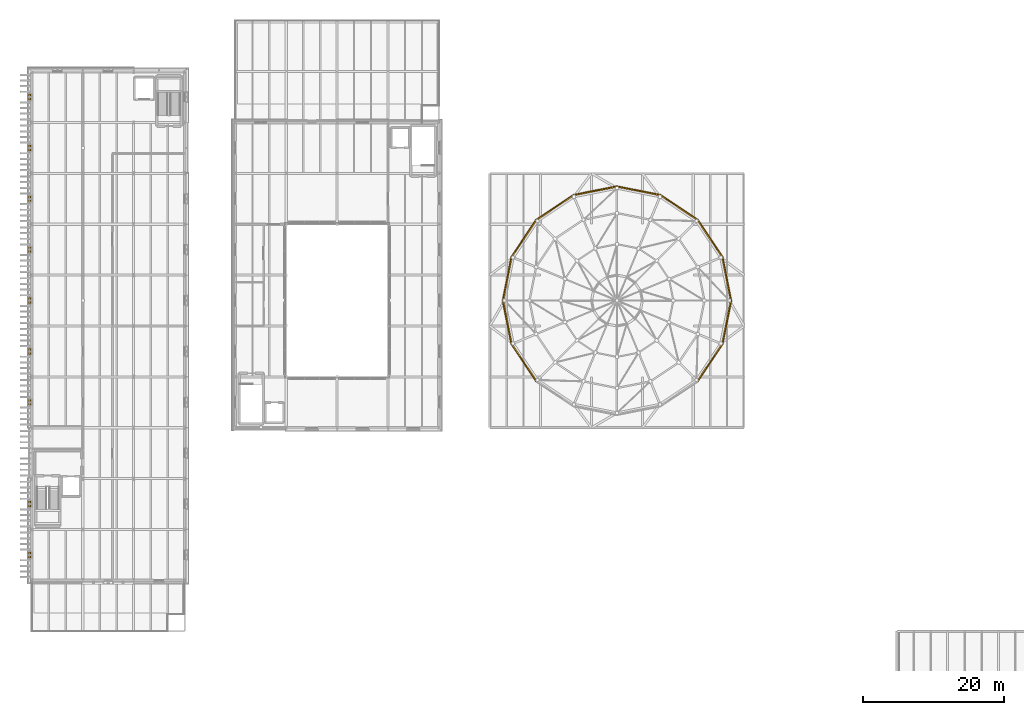
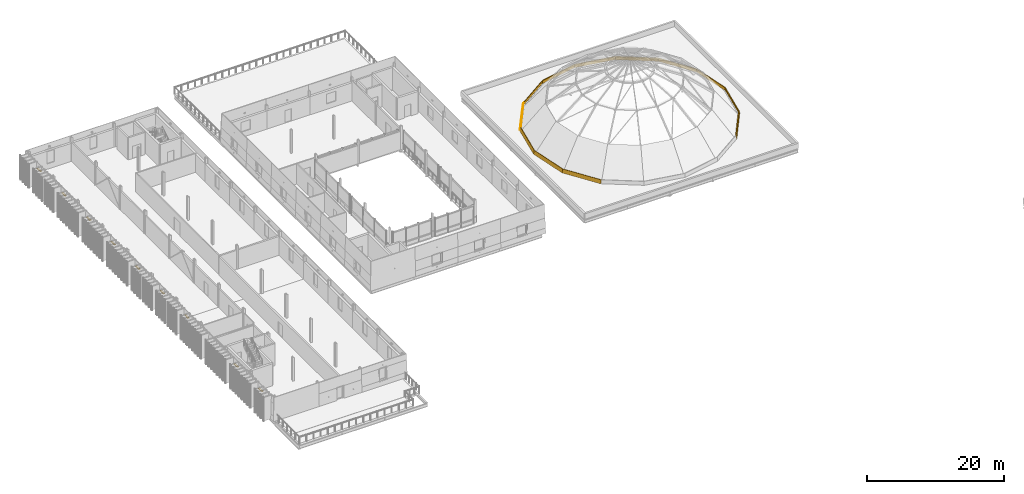
# One storey, part 66 of 66: 21 coverings.
"""IFC4 building model written with IfcOpenShell, lengths in metres."""

from ifc_helpers import new_model, si_unit, direction, frame, origin, place, context, subcontext, project, spatial, polyline, outline, extrude, material, layer, layer_set, type_object, element, save


model = new_model("IFC4")

# Units and contexts
model_context = context("Model", 3, precision=1e-05, world=origin(), true_north=direction((0.0, 1.0)))
body_context = subcontext(model_context, "Body", "Model", "MODEL_VIEW")
ifc_project = project(units=[si_unit("LENGTHUNIT", "METRE"), si_unit("AREAUNIT", "SQUARE_METRE"), si_unit("VOLUMEUNIT", "CUBIC_METRE"), si_unit("PLANEANGLEUNIT", "RADIAN"), si_unit("MASSUNIT", "GRAM", prefix="KILO")], contexts=[model_context])

# Site, building, storey
site_placement = place(None, origin())
site = spatial("IfcSite", under=ifc_project, at=site_placement, CompositionType="ELEMENT")
building_placement = place(site_placement, origin())
building = spatial("IfcBuilding", under=site, at=building_placement, Name="Narikvali Park Central Library", CompositionType="ELEMENT")
storey_placement = place(building_placement, frame((0.0, 0.0, 18.60009765625)))
storey = spatial("IfcBuildingStorey", under=building, at=storey_placement, Name="L04", CompositionType="ELEMENT", Elevation=18.60009765625)

# Coverings
ifc_material = material(Name="White Honed Limestone Cladding", Category="masonry")
ifc_layer_1 = layer(ifc_material, 0.0849609375, Name="White Honed Limestone Cladding")
ifc_layer_set_1 = layer_set([ifc_layer_1], Name="White Honed Limestone Cladding")
covering_type_1 = type_object("IfcCoveringType", Name="Battered White Limestone Facade Cladding Panel", PredefinedType="CLADDING", material=ifc_layer_set_1)
covering_1_placement = place(storey_placement, frame((99.050048828125, 75.60009765625, -0.050048828125), z_axis=(0.965979131274, 0.192152841339, 0.173094204147), x_axis=(-0.195098123827, 0.980783728492, 1.941129e-06)))
element("IfcCovering", 1, at=covering_1_placement, inside=storey, type_object=covering_type_1, Name="Rotunda Dome Drum Limestone Collar 01", PredefinedType="CLADDING", context=body_context, shape_type="SweptSolid", body=[
    extrude(outline(polyline([(0.0, 0.0), (6.340357554165245, -2.7755575615628914e-17), (6.3169670594679905, 0.680176694567826), (0.023435938325691942, 0.6802015944377334), (0.0, 0.0)])), origin(), (0.0, 0.0, -1.0), 0.0849609375),
])
covering_2_placement = place(storey_placement, frame((97.81298828125, 81.818603515625, -0.050048828125), z_axis=(0.818919072636, 0.547176799719, 0.173115863867), x_axis=(-0.55556465518, 0.831473339265, -2.475921e-06)))
element("IfcCovering", 2, at=covering_2_placement, inside=storey, type_object=covering_type_1, Name="Rotunda Dome Drum Limestone Collar 02", PredefinedType="CLADDING", context=body_context, shape_type="SweptSolid", body=[
    extrude(outline(polyline([(0.0, 0.0), (6.340459505133508, 0.0), (6.317016385995427, 0.680207653843399), (0.0234137138041769, 0.6801758933641119), (0.0, 0.0)])), origin(), (0.0, 0.0, -1.0), 0.0849609375),
])
covering_3_placement = place(storey_placement, frame((94.29052734375, 87.090576171875, -0.050048828125), z_axis=(0.547176799719, 0.818919072636, 0.173115863867), x_axis=(-0.831473339265, 0.55556465518, 2.475921e-06)))
element("IfcCovering", 3, at=covering_3_placement, inside=storey, type_object=covering_type_1, Name="Rotunda Dome Drum Limestone Collar 03", PredefinedType="CLADDING", context=body_context, shape_type="SweptSolid", body=[
    extrude(outline(polyline([(0.0, 0.0), (6.340459505133508, 0.0), (6.317045791329331, 0.6801758933641118), (0.02344311913808155, 0.680207653843399), (0.0, 0.0)])), origin(), (0.0, 0.0, -1.0), 0.0849609375),
])
covering_4_placement = place(storey_placement, frame((89.0185546875, 90.613037109375, -0.050048828125), z_axis=(0.192152841339, 0.965979131274, 0.173094204147), x_axis=(-0.980783728492, 0.195098123827, -1.941129e-06)))
element("IfcCovering", 4, at=covering_4_placement, inside=storey, type_object=covering_type_1, Name="Rotunda Dome Drum Limestone Collar 04", PredefinedType="CLADDING", context=body_context, shape_type="SweptSolid", body=[
    extrude(outline(polyline([(0.0, 0.0), (6.340357554165245, 2.7755575615628914e-17), (6.316921615839553, 0.6802015944377335), (0.02339049469725572, 0.6801766945678261), (0.0, 0.0)])), origin(), (0.0, 0.0, -1.0), 0.0849609375),
])
covering_5_placement = place(storey_placement, frame((82.800048828125, 91.85009765625, -0.050048828125), z_axis=(-0.192145557885, 0.965980580032, 0.173094204372), x_axis=(-0.980785199336, -0.195090729559, 1.945803e-06)))
element("IfcCovering", 5, at=covering_5_placement, inside=storey, type_object=covering_type_1, Name="Rotunda Dome Drum Limestone Collar 05", PredefinedType="CLADDING", context=body_context, shape_type="SweptSolid", body=[
    extrude(outline(polyline([(0.0, 0.0), (6.340597002968596, -2.7755575615628914e-17), (6.317205624313175, 0.6801766641507481), (0.023435053277779217, 0.6802016249127554), (0.0, 0.0)])), origin(), (0.0, 0.0, -1.0), 0.0849609375),
])
covering_6_placement = place(storey_placement, frame((76.581298828125, 90.613037109375, -0.050048828125), z_axis=(-0.54719503382, 0.818927329398, 0.173019143818), x_axis=(-0.831467197225, -0.555573847422, -6.58618e-07)))
element("IfcCovering", 6, at=covering_6_placement, inside=storey, type_object=covering_type_1, Name="Rotunda Dome Drum Limestone Collar 06", PredefinedType="CLADDING", context=body_context, shape_type="SweptSolid", body=[
    extrude(outline(polyline([(0.0, 0.0), (6.34025650885551, 0.0), (6.317018904904796, 0.6801842605921495), (0.023416232032053987, 0.6801758122911364), (0.0, 0.0)])), origin(), (0.0, 0.0, -1.0), 0.0849609375),
])
covering_7_placement = place(storey_placement, frame((71.3095703125, 87.090576171875, -0.050048828125), z_axis=(-0.818961348633, 0.547205047253, 0.172826345524), x_axis=(-0.555564656389, -0.831473338457, 2.471908e-06)))
element("IfcCovering", 7, at=covering_7_placement, inside=storey, type_object=covering_type_1, Name="Rotunda Dome Drum Limestone Collar 07", PredefinedType="CLADDING", context=body_context, shape_type="SweptSolid", body=[
    extrude(outline(polyline([(0.0, 0.0), (6.340459505133442, 0.0), (6.317181424372102, 0.6801408070761377), (0.023578752180651353, 0.6801725144393143), (0.0, 0.0)])), origin(), (0.0, 0.0, -1.0), 0.0849609375),
])
covering_8_placement = place(storey_placement, frame((67.787109375, 81.818603515625, -0.050048828125), z_axis=(-0.966037938638, 0.192164539317, 0.17275268722), x_axis=(-0.195098122508, -0.980783728755, -1.937418e-06)))
element("IfcCovering", 8, at=covering_8_placement, inside=storey, type_object=covering_type_1, Name="Rotunda Dome Drum Limestone Collar 08", PredefinedType="CLADDING", context=body_context, shape_type="SweptSolid", body=[
    extrude(outline(polyline([(0.0, 0.0), (6.340357554165197, 2.7755575615628914e-17), (6.316969249862209, 0.6801601635910779), (0.02343812871976665, 0.6801353128489103), (0.0, 0.0)])), origin(), (0.0, 0.0, -1.0), 0.0849609375),
])
covering_9_placement = place(storey_placement, frame((66.550048828125, 75.60009765625, -0.050048828125), z_axis=(-0.966039387572, -0.192157255436, 0.172752686933), x_axis=(0.195090728237, -0.980785199599, 1.942082e-06)))
element("IfcCovering", 9, at=covering_9_placement, inside=storey, type_object=covering_type_1, Name="Rotunda Dome Drum Limestone Collar 09", PredefinedType="CLADDING", context=body_context, shape_type="SweptSolid", body=[
    extrude(outline(polyline([(0.0, 0.0), (6.340597002968546, -5.551115123125783e-17), (6.317157992089484, 0.6801352824300633), (0.02338742105394399, 0.6801601939441162), (0.0, 0.0)])), origin(), (0.0, 0.0, -1.0), 0.0849609375),
])
covering_10_placement = place(storey_placement, frame((67.787109375, 69.38134765625, -0.050048828125), z_axis=(-0.818969582604, -0.547223266783, 0.172729612575), x_axis=(0.555573847743, -0.83146719701, -6.5755e-07)))
element("IfcCovering", 10, at=covering_10_placement, inside=storey, type_object=covering_type_1, Name="Rotunda Dome Drum Limestone Collar 10", PredefinedType="CLADDING", context=body_context, shape_type="SweptSolid", body=[
    extrude(outline(polyline([(0.0, 0.0), (6.340256508855505, 0.0), (6.316883267519526, 0.6801491608139572), (0.023280594646771832, 0.6801407266503802), (0.0, 0.0)])), origin(), (0.0, 0.0, -1.0), 0.0849609375),
])
covering_11_placement = place(storey_placement, frame((94.29052734375, 64.109619140625, -0.050048828125), z_axis=(0.818927329398, -0.54719503382, 0.173019143818), x_axis=(0.555573847422, 0.831467197225, 6.58618e-07)))
element("IfcCovering", 11, at=covering_11_placement, inside=storey, type_object=covering_type_1, Name="Rotunda Dome Drum Limestone Collar 15", PredefinedType="CLADDING", context=body_context, shape_type="SweptSolid", body=[
    extrude(outline(polyline([(0.0, 0.0), (6.34025650885551, 0.0), (6.316840276823456, 0.6801758122911364), (0.02323760395071449, 0.6801842605921494), (0.0, 0.0)])), origin(), (0.0, 0.0, -1.0), 0.0849609375),
])
covering_12_placement = place(storey_placement, frame((97.81298828125, 69.38134765625, -0.050048828125), z_axis=(0.965980580032, -0.192145557885, 0.173094204372), x_axis=(0.195090729559, 0.980785199336, -1.945803e-06)))
element("IfcCovering", 12, at=covering_12_placement, inside=storey, type_object=covering_type_1, Name="Rotunda Dome Drum Limestone Collar 16", PredefinedType="CLADDING", context=body_context, shape_type="SweptSolid", body=[
    extrude(outline(polyline([(0.0, 0.0), (6.340597002968596, 2.7755575615628914e-17), (6.317161949690816, 0.6802016249127554), (0.023391378655421603, 0.6801766641507481), (0.0, 0.0)])), origin(), (0.0, 0.0, -1.0), 0.0849609375),
])
ifc_layer_2 = layer(ifc_material, 0.080078125, Name="White Honed Limestone Cladding")
ifc_layer_set_2 = layer_set([ifc_layer_2], Name="White Honed Limestone Cladding")
covering_type_2 = type_object("IfcCoveringType", Name="Deep Carved White Limestone Window Reveal", PredefinedType="CLADDING", material=ifc_layer_set_2)
covering_13_placement = place(storey_placement, frame((0.0, 0.0, 3.099853515625)))
element("IfcCovering", 13, at=covering_13_placement, inside=storey, type_object=covering_type_2, Name="Deep Stone Reveal Head V5-RVL-L04-W-B01", PredefinedType="CLADDING", context=body_context, shape_type="SweptSolid", body=[
    extrude(outline(polyline([(-0.1650390625, 104.8798828125), (-0.1650390625, 103.919921875), (-0.42431640625, 103.919921875), (-0.42431640625, 104.8798828125), (-0.1650390625, 104.8798828125)])), origin(), (0.0, 0.0, 1.0), 0.080078125),
])
covering_14_placement = place(storey_placement, frame((0.0, 0.0, 3.099853515625)))
element("IfcCovering", 14, at=covering_14_placement, inside=storey, type_object=covering_type_2, Name="Deep Stone Reveal Head V5-RVL-L04-W-B02", PredefinedType="CLADDING", context=body_context, shape_type="SweptSolid", body=[
    extrude(outline(polyline([(-0.1650390625, 97.679931640625), (-0.1650390625, 96.719970703125), (-0.42431640625, 96.719970703125), (-0.42431640625, 97.679931640625), (-0.1650390625, 97.679931640625)])), origin(), (0.0, 0.0, 1.0), 0.080078125),
])
covering_15_placement = place(storey_placement, frame((0.0, 0.0, 3.099853515625)))
element("IfcCovering", 15, at=covering_15_placement, inside=storey, type_object=covering_type_2, Name="Deep Stone Reveal Head V5-RVL-L04-W-B03", PredefinedType="CLADDING", context=body_context, shape_type="SweptSolid", body=[
    extrude(outline(polyline([(-0.1650390625, 90.47998046875), (-0.1650390625, 89.52001953125), (-0.42431640625, 89.52001953125), (-0.42431640625, 90.47998046875), (-0.1650390625, 90.47998046875)])), origin(), (0.0, 0.0, 1.0), 0.080078125),
])
covering_16_placement = place(storey_placement, frame((0.0, 0.0, 3.099853515625)))
element("IfcCovering", 16, at=covering_16_placement, inside=storey, type_object=covering_type_2, Name="Deep Stone Reveal Head V5-RVL-L04-W-B04", PredefinedType="CLADDING", context=body_context, shape_type="SweptSolid", body=[
    extrude(outline(polyline([(-0.1650390625, 83.280029296875), (-0.1650390625, 82.320068359375), (-0.42431640625, 82.320068359375), (-0.42431640625, 83.280029296875), (-0.1650390625, 83.280029296875)])), origin(), (0.0, 0.0, 1.0), 0.080078125),
])
covering_17_placement = place(storey_placement, frame((0.0, 0.0, 3.099853515625)))
element("IfcCovering", 17, at=covering_17_placement, inside=storey, type_object=covering_type_2, Name="Deep Stone Reveal Head V5-RVL-L04-W-B05", PredefinedType="CLADDING", context=body_context, shape_type="SweptSolid", body=[
    extrude(outline(polyline([(-0.1650390625, 76.080078125), (-0.1650390625, 75.1201171875), (-0.42431640625, 75.1201171875), (-0.42431640625, 76.080078125), (-0.1650390625, 76.080078125)])), origin(), (0.0, 0.0, 1.0), 0.080078125),
])
covering_18_placement = place(storey_placement, frame((0.0, 0.0, 3.099853515625)))
element("IfcCovering", 18, at=covering_18_placement, inside=storey, type_object=covering_type_2, Name="Deep Stone Reveal Head V5-RVL-L04-W-B06", PredefinedType="CLADDING", context=body_context, shape_type="SweptSolid", body=[
    extrude(outline(polyline([(-0.1650390625, 68.8798828125), (-0.1650390625, 67.919921875), (-0.42431640625, 67.919921875), (-0.42431640625, 68.8798828125), (-0.1650390625, 68.8798828125)])), origin(), (0.0, 0.0, 1.0), 0.080078125),
])
covering_19_placement = place(storey_placement, frame((0.0, 0.0, 3.099853515625)))
element("IfcCovering", 19, at=covering_19_placement, inside=storey, type_object=covering_type_2, Name="Deep Stone Reveal Head V5-RVL-L04-W-B07", PredefinedType="CLADDING", context=body_context, shape_type="SweptSolid", body=[
    extrude(outline(polyline([(-0.1650390625, 61.679931640625), (-0.1650390625, 60.719970703125), (-0.42431640625, 60.719970703125), (-0.42431640625, 61.679931640625), (-0.1650390625, 61.679931640625)])), origin(), (0.0, 0.0, 1.0), 0.080078125),
])
covering_20_placement = place(storey_placement, frame((0.0, 0.0, 3.099853515625)))
element("IfcCovering", 20, at=covering_20_placement, inside=storey, type_object=covering_type_2, Name="Deep Stone Reveal Head V5-RVL-L04-W-B09", PredefinedType="CLADDING", context=body_context, shape_type="SweptSolid", body=[
    extrude(outline(polyline([(-0.1650390625, 47.280029296875), (-0.1650390625, 46.320068359375), (-0.42431640625, 46.320068359375), (-0.42431640625, 47.280029296875), (-0.1650390625, 47.280029296875)])), origin(), (0.0, 0.0, 1.0), 0.080078125),
])
covering_21_placement = place(storey_placement, frame((0.0, 0.0, 3.099853515625)))
element("IfcCovering", 21, at=covering_21_placement, inside=storey, type_object=covering_type_2, Name="Deep Stone Reveal Head V5-RVL-L04-W-B10", PredefinedType="CLADDING", context=body_context, shape_type="SweptSolid", body=[
    extrude(outline(polyline([(-0.1650390625, 40.080078125), (-0.1650390625, 39.1201171875), (-0.42431640625, 39.1201171875), (-0.42431640625, 40.080078125), (-0.1650390625, 40.080078125)])), origin(), (0.0, 0.0, 1.0), 0.080078125),
])

save(model, "model.ifc")
